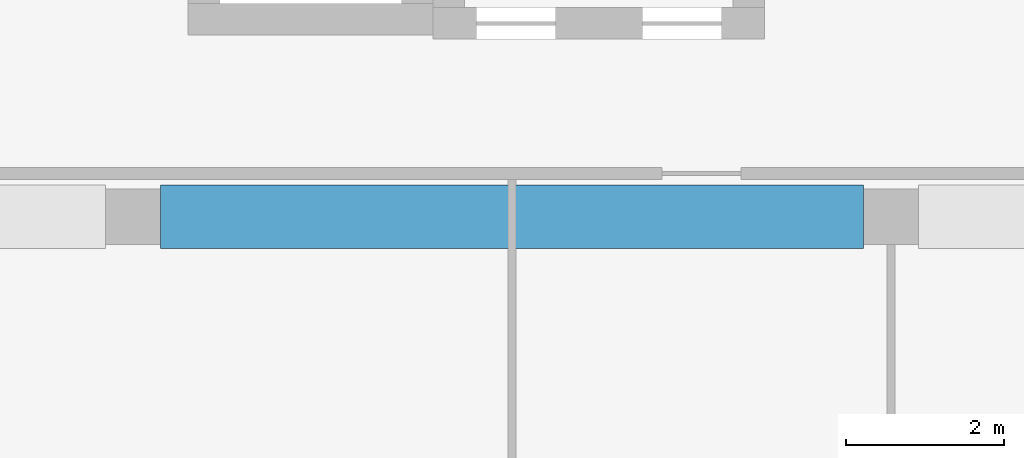
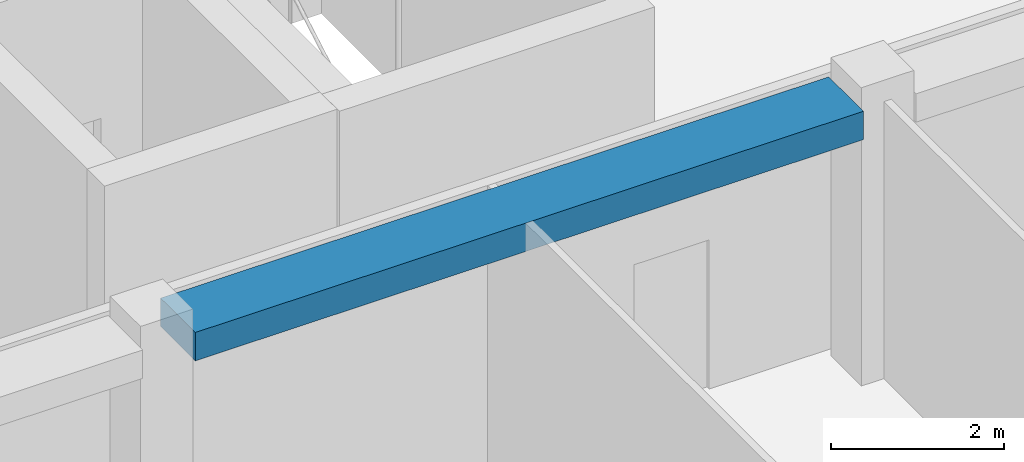
# One storey, part 5 of 27: 1 beam.
"""IFC4 building model written with IfcOpenShell, lengths in metres."""

import ifcopenshell
import ifcopenshell.guid

model = None  # the IFC model being written
_history = None  # IfcOwnerHistory: only IFC2X3 demands one
_inside = {}  # id of a spatial element -> (the spatial element, [elements in it])
_under = {}  # id of a project, library or spatial element -> (it, [spatial elements below it])
_declared = {}  # id of a project -> (the project, [libraries it declares])
_typed = {}  # id of a type object -> (the type object, [elements of that type])
_made_of = {}  # id of a material, layer set ... -> (it, [elements and type objects made of it])


def new_model(schema):
    """Start an empty IFC model of exactly this schema.

    Asked for "IFC4X3", IfcOpenShell would pick the latest addendum, in which some entities
    have other attributes; the version numbers below select the first issue.
    IFC2X3 requires an IfcOwnerHistory on every rooted entity: one is made here for all.
    """
    global model, _history
    if schema == "IFC4X3":
        model = ifcopenshell.file(schema_version=(4, 3, 0, 0))
    else:
        model = ifcopenshell.file(schema=schema)
    _inside.clear()
    _under.clear()
    _declared.clear()
    _typed.clear()
    _made_of.clear()
    _history = None
    if model.schema == "IFC2X3":
        org = make("IfcOrganization", Name="unknown")
        user = make(
            "IfcPersonAndOrganization",
            ThePerson=make("IfcPerson", FamilyName="unknown"),
            TheOrganization=org,
        )
        app = make(
            "IfcApplication",
            ApplicationDeveloper=org,
            Version="unknown",
            ApplicationFullName="unknown",
            ApplicationIdentifier="unknown",
        )
        _history = make(
            "IfcOwnerHistory",
            OwningUser=user,
            OwningApplication=app,
            ChangeAction="ADDED",
            CreationDate=0,
        )
    return model


def make(cls, **values):
    """One entity of the class cls with the attributes given. An attribute that is None is left unset."""
    return model.create_entity(
        cls, **{name: value for name, value in values.items() if value is not None}
    )


def rooted(cls, **values):
    """An entity with a GlobalId (a new one), such as an element, a storey or a relation."""
    return make(cls, GlobalId=ifcopenshell.guid.new(), OwnerHistory=_history, **values)


def si_unit(unit_type, name, prefix=None):
    """IfcSIUnit, for example si_unit("LENGTHUNIT", "METRE", prefix="MILLI")."""
    return make("IfcSIUnit", UnitType=unit_type, Prefix=prefix, Name=name)


def assignment(units):
    """IfcUnitAssignment: the units of a project."""
    return None if units is None else make("IfcUnitAssignment", Units=units)


def point(xyz):
    """IfcCartesianPoint."""
    return None if xyz is None else make("IfcCartesianPoint", Coordinates=xyz)


def direction(xyz):
    """IfcDirection."""
    return None if xyz is None else make("IfcDirection", DirectionRatios=xyz)


def frame(location, z_axis=None, x_axis=None):
    """IfcAxis2Placement3D, a coordinate frame: its origin and axes. An axis left out is left unset."""
    return make(
        "IfcAxis2Placement3D",
        Location=point(location),
        Axis=direction(z_axis),
        RefDirection=direction(x_axis),
    )


def frame_2d(location, x_axis=None):
    """IfcAxis2Placement2D, a coordinate frame in the plane: its origin and x axis."""
    return make(
        "IfcAxis2Placement2D", Location=point(location), RefDirection=direction(x_axis)
    )


def origin():
    """The frame at (0, 0, 0) with its axes left unset."""
    return frame((0.0, 0.0, 0.0))


def origin_2d():
    """The frame at (0, 0) in the plane with its x axis left unset."""
    return frame_2d((0.0, 0.0))


def place(relative_to, where):
    """IfcLocalPlacement: puts the frame where relative to a parent placement (None: the world)."""
    return make(
        "IfcLocalPlacement", PlacementRelTo=relative_to, RelativePlacement=where
    )


def context(
    kind, dimensions, precision=None, world=None, true_north=None, identifier=None
):
    """IfcGeometricRepresentationContext, for example the 3D "Model" context."""
    return make(
        "IfcGeometricRepresentationContext",
        ContextIdentifier=identifier,
        ContextType=kind,
        CoordinateSpaceDimension=dimensions,
        Precision=precision,
        WorldCoordinateSystem=world,
        TrueNorth=true_north,
    )


def subcontext(parent, identifier, kind, view, scale=None):
    """IfcGeometricRepresentationSubContext, for example "Body" below "Model"."""
    return make(
        "IfcGeometricRepresentationSubContext",
        ContextIdentifier=identifier,
        ContextType=kind,
        ParentContext=parent,
        TargetScale=scale,
        TargetView=view,
    )


def project(units=None, contexts=None):
    """IfcProject with its units and contexts."""
    return rooted(
        "IfcProject",
        Name="project",
        RepresentationContexts=contexts,
        UnitsInContext=assignment(units),
    )


def spatial(cls, under=None, at=None, **own):
    """A site, building, storey or space (cls), placed at a placement, below another one or the project."""
    s = rooted(cls, ObjectPlacement=at, **own)
    if under is not None:
        _under.setdefault(under.id(), (under, []))[1].append(s)
    return s


def profile(cls, at=None, kind="AREA", **sizes):
    """A parametric profile (cls). Its sizes go by their IFC names, for example OverallWidth=200.0."""
    return make(cls, ProfileType=kind, Position=at, **sizes)


def rectangle(**sizes):
    """IfcRectangleProfileDef."""
    return profile("IfcRectangleProfileDef", **sizes)


def extrude(swept, where, along, depth):
    """IfcExtrudedAreaSolid: the profile swept, set in the frame where, extruded along a direction by depth."""
    return make(
        "IfcExtrudedAreaSolid",
        SweptArea=swept,
        Position=where,
        ExtrudedDirection=direction(along),
        Depth=depth,
    )


def shape(context_of_items, identifier, shape_type, items):
    """IfcShapeRepresentation: the items that make up one representation, for example the "Body"."""
    return make(
        "IfcShapeRepresentation",
        ContextOfItems=context_of_items,
        RepresentationIdentifier=identifier,
        RepresentationType=shape_type,
        Items=items,
    )


def material(Name=None, Category=None):
    """IfcMaterial."""
    return make("IfcMaterial", Name=Name, Category=Category)


def material_profile(
    of_material, cross_section, Name=None, Category=None, Priority=None
):
    """IfcMaterialProfile: a cross section and its material."""
    return make(
        "IfcMaterialProfile",
        Name=Name,
        Material=of_material,
        Profile=cross_section,
        Priority=Priority,
        Category=Category,
    )


def profile_set(profiles, Name=None, composite=None):
    """IfcMaterialProfileSet."""
    return make(
        "IfcMaterialProfileSet",
        Name=Name,
        MaterialProfiles=profiles,
        CompositeProfile=composite,
    )


def made_of(thing, what):
    """Note that an element or type object is made of a material, layer set ...; save() writes the relation."""
    if what is not None:
        _made_of.setdefault(what.id(), (what, []))[1].append(thing)
    return thing


def type_object(cls, material=None, **own):
    """A type object (cls), such as IfcWallType, which elements share."""
    return made_of(rooted(cls, **own), material)


def element(
    cls,
    number,
    at=None,
    inside=None,
    cuts=None,
    type_object=None,
    material=None,
    context=None,
    identifier="Body",
    shape_type=None,
    held_by="IfcProductDefinitionShape",
    body=None,
    shapes=None,
    **own,
):
    """One element of the class cls, such as IfcWall. Its Tag is "e" and its number.

    at: its placement. inside: the storey or other place that contains it. cuts: it is an
    opening in that element (IfcRelVoidsElement). A single representation is given by context,
    identifier, shape_type and body (its items); several are given by shapes. held_by: the class
    of the entity that holds the representations. save() writes the other relations.
    """
    e = rooted(cls, Tag="e%d" % number, ObjectPlacement=at, **own)
    if body is not None:
        shapes = [shape(context, identifier, shape_type, body)]
    if shapes is not None:
        e.Representation = make(held_by, Representations=shapes)
    if inside is not None:
        _inside.setdefault(inside.id(), (inside, []))[1].append(e)
    if cuts is not None:
        rooted(
            "IfcRelVoidsElement", RelatingBuildingElement=cuts, RelatedOpeningElement=e
        )
    if type_object is not None:
        _typed.setdefault(type_object.id(), (type_object, []))[1].append(e)
    return made_of(e, material)


def aggregate(whole, parts):
    """IfcRelAggregates: a whole, such as a stair, and the parts it consists of."""
    return rooted("IfcRelAggregates", RelatingObject=whole, RelatedObjects=parts)


def save(model, path):
    """Write the relations noted so far, then the file.

    IfcRelAggregates (storeys below a building ...), IfcRelContainedInSpatialStructure (elements
    in a storey), IfcRelDefinesByType, IfcRelAssociatesMaterial and IfcRelDeclares: one each for
    every whole, place, type object, material and project.
    """
    for whole, parts in _under.values():
        aggregate(whole, parts)
    for where, things in _inside.values():
        rooted(
            "IfcRelContainedInSpatialStructure",
            RelatedElements=things,
            RelatingStructure=where,
        )
    for kind, things in _typed.values():
        rooted("IfcRelDefinesByType", RelatedObjects=things, RelatingType=kind)
    for what, things in _made_of.values():
        rooted("IfcRelAssociatesMaterial", RelatedObjects=things, RelatingMaterial=what)
    for by, libraries in _declared.values():
        rooted("IfcRelDeclares", RelatingContext=by, RelatedDefinitions=libraries)
    model.write(path)


model = new_model("IFC4")

# Units and contexts
model_context = context("Model", 3, precision=1e-05, world=origin(), true_north=direction((0.0, 1.0)))
body_context = subcontext(model_context, "Body", "Model", "MODEL_VIEW")
ifc_project = project(units=[si_unit("LENGTHUNIT", "METRE"), si_unit("AREAUNIT", "SQUARE_METRE"), si_unit("VOLUMEUNIT", "CUBIC_METRE"), si_unit("PLANEANGLEUNIT", "RADIAN"), si_unit("MASSUNIT", "GRAM", prefix="KILO")], contexts=[model_context])

# Site, building, storey
site_placement = place(None, origin())
site = spatial("IfcSite", under=ifc_project, at=site_placement, CompositionType="ELEMENT")
building_placement = place(site_placement, origin())
building = spatial("IfcBuilding", under=site, at=building_placement, Name="Nzadi Deep Aquarium and Research Tower", CompositionType="ELEMENT")
storey_placement = place(building_placement, frame((0.0, 0.0, 69.699951171875)))
storey = spatial("IfcBuildingStorey", under=building, at=storey_placement, Name="L14", CompositionType="ELEMENT", Elevation=69.699951171875)

# Beam
ifc_material = material(Name="Concrete C35/45", Category="concrete")
ifc_material_profile = material_profile(ifc_material, rectangle(XDim=0.800048828125, YDim=0.39990234375, at=origin_2d()))
ifc_profile_set = profile_set([ifc_material_profile], Name="Concrete C35/45")
beam_type = type_object("IfcBeamType", Name="RC 800x400", PredefinedType="BEAM", material=ifc_profile_set)
beam_placement = place(storey_placement, frame((19.550048828125, 9.199951171875, 3.699951171875), z_axis=(1.0, 0.0, 0.0), x_axis=(0.0, 1.0, 0.0)))
element("IfcBeam", 1, at=beam_placement, inside=storey, type_object=beam_type, Name="B-Z1-L14-L2-3", PredefinedType="BEAM", context=body_context, shape_type="SweptSolid", body=[
    extrude(rectangle(XDim=0.800048828125, YDim=0.39990234375, at=origin_2d()), origin(), (0.0, 0.0, 1.0), 8.89990234375),
])

save(model, "model.ifc")
